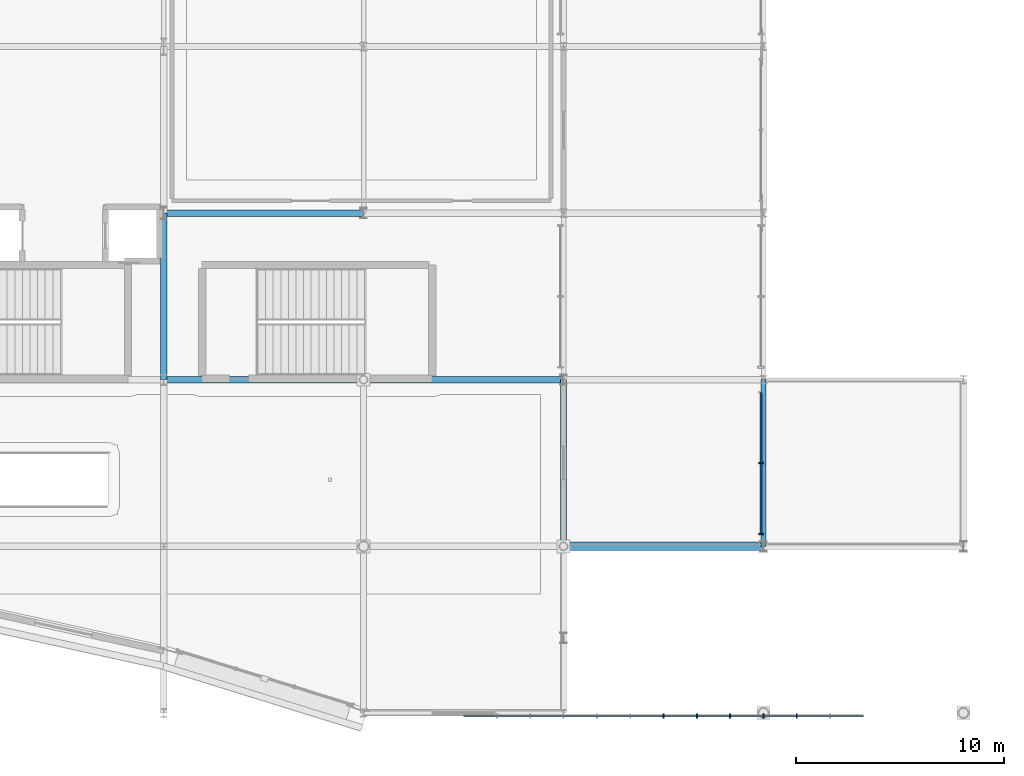
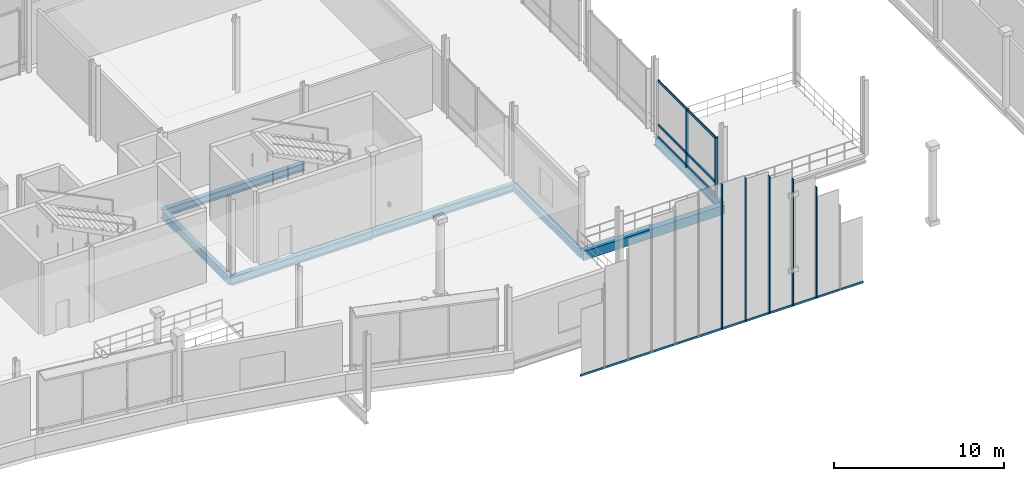
# One storey, part 40 of 129: 11 members, 7 beams, 2 elements without a shape of their own.
"""IFC4 building model written with IfcOpenShell, lengths in metres."""

from ifc_helpers import new_model, si_unit, direction, frame, origin, origin_2d, place, context, subcontext, project, spatial, rectangle, i_section, extrude, material, material_profile, profile_set, type_object, element, aggregate, save


model = new_model("IFC4")

# Units and contexts
model_context = context("Model", 3, precision=1e-05, world=origin(), true_north=direction((0.0, 1.0)))
body_context = subcontext(model_context, "Body", "Model", "MODEL_VIEW")
ifc_project = project(units=[si_unit("LENGTHUNIT", "METRE"), si_unit("AREAUNIT", "SQUARE_METRE"), si_unit("VOLUMEUNIT", "CUBIC_METRE"), si_unit("PLANEANGLEUNIT", "RADIAN"), si_unit("MASSUNIT", "GRAM", prefix="KILO")], contexts=[model_context])

# Site, building, storey
site_placement = place(None, origin())
site = spatial("IfcSite", under=ifc_project, at=site_placement, CompositionType="ELEMENT")
building_placement = place(site_placement, origin())
building = spatial("IfcBuilding", under=site, at=building_placement, Name="Danafjord Basin Convention Centre", CompositionType="ELEMENT")
storey_placement = place(building_placement, frame((0.0, 0.0, 6.0)))
storey = spatial("IfcBuildingStorey", under=building, at=storey_placement, Name="L01", CompositionType="ELEMENT", Elevation=6.0)

# Beams
ifc_material_1 = material(Name="Steel S355", Category="steel")
ifc_material_profile_1 = material_profile(ifc_material_1, i_section(OverallWidth=0.300048828125, OverallDepth=0.5, WebThickness=0.014404296875, FlangeThickness=0.028076171875, FilletRadius=0.027099609375, at=origin_2d()), Name="HEB 500")
ifc_profile_set_1 = profile_set([ifc_material_profile_1], Name="Steel S355")
beam_type_1 = type_object("IfcBeamType", Name="BEAM-BM-HEB500", PredefinedType="BEAM", material=ifc_profile_set_1)
beam_1_placement = place(storey_placement, frame((115.199951171875, 8.0, -0.47998046875), z_axis=(0.0, 1.0, 0.0), x_axis=(-1.0, 0.0, 0.0)))
element("IfcBeam", 1, at=beam_1_placement, inside=storey, type_object=beam_type_1, Name="L01 transverse girder BM-HEB500", PredefinedType="BEAM", context=body_context, shape_type="SweptSolid", body=[
    extrude(i_section(OverallWidth=0.300048828125, OverallDepth=0.5, WebThickness=0.014404296875, FlangeThickness=0.028076171875, FilletRadius=0.027099609375, at=origin_2d()), origin(), (0.0, 0.0, 1.0), 8.0),
])
ifc_material_profile_2 = material_profile(ifc_material_1, i_section(OverallWidth=0.300048828125, OverallDepth=0.550048828125, WebThickness=0.014892578125, FlangeThickness=0.029052734375, FilletRadius=0.027099609375, at=origin_2d()), Name="HEB 550")
ifc_profile_set_2 = profile_set([ifc_material_profile_2], Name="Steel S355")
beam_type_2 = type_object("IfcBeamType", Name="BEAM-BM-HEB550", PredefinedType="BEAM", material=ifc_profile_set_2)
beam_2_placement = place(storey_placement, frame((96.0, 24.0, -0.5048828125), z_axis=(1.0, 0.0, 0.0), x_axis=(0.0, 1.0, 0.0)))
element("IfcBeam", 2, at=beam_2_placement, inside=storey, type_object=beam_type_2, Name="L01 girder BM-HEB550", PredefinedType="BEAM", context=body_context, shape_type="SweptSolid", body=[
    extrude(i_section(OverallWidth=0.300048828125, OverallDepth=0.550048828125, WebThickness=0.014892578125, FlangeThickness=0.029052734375, FilletRadius=0.027099609375, at=origin_2d()), origin(), (0.0, 0.0, 1.0), 9.60009765625),
])
beam_3_placement = place(storey_placement, frame((105.60009765625, 16.0, -0.5048828125), z_axis=(1.0, 0.0, 0.0), x_axis=(0.0, 1.0, 0.0)))
element("IfcBeam", 3, at=beam_3_placement, inside=storey, type_object=beam_type_2, Name="L01 girder BM-HEB550", PredefinedType="BEAM", context=body_context, shape_type="SweptSolid", body=[
    extrude(i_section(OverallWidth=0.300048828125, OverallDepth=0.550048828125, WebThickness=0.014892578125, FlangeThickness=0.029052734375, FilletRadius=0.027099609375, at=origin_2d()), origin(), (0.0, 0.0, 1.0), 9.599853515625),
])
ifc_material_profile_3 = material_profile(ifc_material_1, i_section(OverallWidth=0.300048828125, OverallDepth=0.60009765625, WebThickness=0.015380859375, FlangeThickness=0.030029296875, FilletRadius=0.027099609375, at=origin_2d()), Name="HEB 600")
ifc_profile_set_3 = profile_set([ifc_material_profile_3], Name="Steel S355")
beam_type_3 = type_object("IfcBeamType", Name="BEAM-BM-HEB600", PredefinedType="BEAM", material=ifc_profile_set_3)
beam_4_placement = place(storey_placement, frame((96.0, 16.0, -0.530029296875), z_axis=(1.0, 0.0, 0.0), x_axis=(0.0, 1.0, 0.0)))
element("IfcBeam", 4, at=beam_4_placement, inside=storey, type_object=beam_type_3, Name="L01 girder BM-HEB600", PredefinedType="BEAM", context=body_context, shape_type="SweptSolid", body=[
    extrude(i_section(OverallWidth=0.300048828125, OverallDepth=0.60009765625, WebThickness=0.015380859375, FlangeThickness=0.030029296875, FilletRadius=0.027099609375, at=origin_2d()), origin(), (0.0, 0.0, 1.0), 9.60009765625),
])
beam_5_placement = place(storey_placement, frame((96.0, 16.0, -0.530029296875), z_axis=(0.0, 1.0, 0.0), x_axis=(-1.0, 0.0, 0.0)))
element("IfcBeam", 5, at=beam_5_placement, inside=storey, type_object=beam_type_3, Name="L01 transverse girder BM-HEB600", PredefinedType="BEAM", context=body_context, shape_type="SweptSolid", body=[
    extrude(i_section(OverallWidth=0.300048828125, OverallDepth=0.60009765625, WebThickness=0.015380859375, FlangeThickness=0.030029296875, FilletRadius=0.027099609375, at=origin_2d()), origin(), (0.0, 0.0, 1.0), 8.0),
])
ifc_material_profile_4 = material_profile(ifc_material_1, i_section(OverallWidth=0.219970703125, OverallDepth=0.60009765625, WebThickness=0.011962890625, FlangeThickness=0.01904296875, FilletRadius=0.02392578125, at=origin_2d()), Name="IPE 600")
ifc_profile_set_4 = profile_set([ifc_material_profile_4], Name="Steel S355")
beam_type_4 = type_object("IfcBeamType", Name="BEAM-BM-IPE600", PredefinedType="BEAM", material=ifc_profile_set_4)
beam_6_placement = place(storey_placement, frame((124.800048828125, 8.0, -0.530029296875), z_axis=(0.0, 1.0, 0.0), x_axis=(-1.0, 0.0, 0.0)))
element("IfcBeam", 6, at=beam_6_placement, inside=storey, type_object=beam_type_4, Name="L01 transverse girder BM-IPE600", PredefinedType="BEAM", context=body_context, shape_type="SweptSolid", body=[
    extrude(i_section(OverallWidth=0.219970703125, OverallDepth=0.60009765625, WebThickness=0.011962890625, FlangeThickness=0.01904296875, FilletRadius=0.02392578125, at=origin_2d()), origin(), (0.0, 0.0, 1.0), 8.0),
])
ifc_material_2 = material(Name="Precast concrete C45/55", Category="concrete")
ifc_material_profile_5 = material_profile(ifc_material_2, rectangle(XDim=0.39990234375, YDim=0.64990234375, at=origin_2d()), Name="PCB 400x650")
ifc_profile_set_5 = profile_set([ifc_material_profile_5], Name="Precast concrete C45/55")
beam_type_5 = type_object("IfcBeamType", Name="BEAM-SP-PCB650", PredefinedType="SPANDREL", material=ifc_profile_set_5)
beam_7_placement = place(storey_placement, frame((115.199951171875, 8.0, -0.554931640625), z_axis=(1.0, 0.0, 0.0), x_axis=(0.0, 1.0, 0.0)))
element("IfcBeam", 7, at=beam_7_placement, inside=storey, type_object=beam_type_5, Name="L01 girder SP-PCB650", PredefinedType="SPANDREL", context=body_context, shape_type="SweptSolid", body=[
    extrude(rectangle(XDim=0.39990234375, YDim=0.64990234375, at=origin_2d()), origin(), (0.0, 0.0, 1.0), 9.60009765625),
])

# Curtain wall, members
ifc_material_3 = material(Name="Anodised aluminium and triple glazing", Category="aluminium")
curtain_wall_type_1 = type_object("IfcCurtainWallType", Name="CW-CW-BRIDGE", PredefinedType="NOTDEFINED", material=ifc_material_3)
curtain_wall_1_placement = place(storey_placement, origin())
curtain_wall_1 = element("IfcCurtainWall", 8, at=curtain_wall_1_placement, inside=storey, type_object=curtain_wall_type_1, Name="L01 CW-BRIDGE unitised curtain wall bay 152", PredefinedType="NOTDEFINED")
ifc_material_4 = material(Name="Anodised aluminium EN AW-6060", Category="aluminium")
ifc_material_profile_6 = material_profile(ifc_material_4, rectangle(XDim=0.06494140625, YDim=0.219970703125, at=origin_2d()), Name="MULL 65x220")
ifc_profile_set_6 = profile_set([ifc_material_profile_6], Name="Anodised aluminium EN AW-6060")
member_type_1 = type_object("IfcMemberType", Name="MEM-ML-220", PredefinedType="MULLION", material=ifc_profile_set_6)
member_1_placement = place(storey_placement, frame((124.679931640625, 8.60009765625, -0.02490234375), z_axis=(0.0, 0.0, 1.0), x_axis=(0.0, 1.0, 0.0)))
member_1 = element("IfcMember", 9, at=member_1_placement, type_object=member_type_1, Name="CW-L01-152 mullion 1", PredefinedType="MULLION", context=body_context, shape_type="SweptSolid", body=[
    extrude(rectangle(XDim=0.06494140625, YDim=0.219970703125, at=origin_2d()), origin(), (0.0, 0.0, 1.0), 4.199951171875),
])
member_2_placement = place(storey_placement, frame((124.679931640625, 12.0, -0.02490234375), z_axis=(0.0, 0.0, 1.0), x_axis=(0.0, 1.0, 0.0)))
member_2 = element("IfcMember", 10, at=member_2_placement, type_object=member_type_1, Name="CW-L01-152 mullion 2", PredefinedType="MULLION", context=body_context, shape_type="SweptSolid", body=[
    extrude(rectangle(XDim=0.06494140625, YDim=0.219970703125, at=origin_2d()), origin(), (0.0, 0.0, 1.0), 4.199951171875),
])

curtain_wall_type_2 = type_object("IfcCurtainWallType", Name="CW-CW-HARB", PredefinedType="NOTDEFINED", material=ifc_material_3)
curtain_wall_2_placement = place(storey_placement, origin())
curtain_wall_2 = element("IfcCurtainWall", 11, at=curtain_wall_2_placement, inside=storey, type_object=curtain_wall_type_2, Name="Main entrance tall semicircular glazed arch curtain wall", PredefinedType="NOTDEFINED")
member_3_placement = place(storey_placement, frame((120.0, -0.14990234375, -2.60009765625), z_axis=(0.0, 0.0, 1.0), x_axis=(1.0, 0.0, 0.0)))
member_3 = element("IfcMember", 12, at=member_3_placement, type_object=member_type_1, Name="Main entrance glazed arch mullion 6", PredefinedType="MULLION", context=body_context, shape_type="SweptSolid", body=[
    extrude(rectangle(XDim=0.06494140625, YDim=0.219970703125, at=origin_2d()), origin(), (0.0, 0.0, 1.0), 10.400146484375),
])
member_4_placement = place(storey_placement, frame((121.60009765625, -0.14990234375, -2.60009765625), z_axis=(0.0, 0.0, 1.0), x_axis=(1.0, 0.0, 0.0)))
member_4 = element("IfcMember", 13, at=member_4_placement, type_object=member_type_1, Name="Main entrance glazed arch mullion 7", PredefinedType="MULLION", context=body_context, shape_type="SweptSolid", body=[
    extrude(rectangle(XDim=0.06494140625, YDim=0.219970703125, at=origin_2d()), origin(), (0.0, 0.0, 1.0), 10.265869140625),
])
member_5_placement = place(storey_placement, frame((123.199951171875, -0.14990234375, -2.60009765625), z_axis=(0.0, 0.0, 1.0), x_axis=(1.0, 0.0, 0.0)))
member_5 = element("IfcMember", 14, at=member_5_placement, type_object=member_type_1, Name="Main entrance glazed arch mullion 8", PredefinedType="MULLION", context=body_context, shape_type="SweptSolid", body=[
    extrude(rectangle(XDim=0.06494140625, YDim=0.219970703125, at=origin_2d()), origin(), (0.0, 0.0, 1.0), 9.85107421875),
])
member_6_placement = place(storey_placement, frame((124.800048828125, -0.14990234375, -2.60009765625), z_axis=(0.0, 0.0, 1.0), x_axis=(1.0, 0.0, 0.0)))
member_6 = element("IfcMember", 15, at=member_6_placement, type_object=member_type_1, Name="Main entrance glazed arch mullion 9", PredefinedType="MULLION", context=body_context, shape_type="SweptSolid", body=[
    extrude(rectangle(XDim=0.06494140625, YDim=0.219970703125, at=origin_2d()), origin(), (0.0, 0.0, 1.0), 9.114013671875),
])
member_7_placement = place(storey_placement, frame((126.39990234375, -0.14990234375, -2.60009765625), z_axis=(0.0, 0.0, 1.0), x_axis=(1.0, 0.0, 0.0)))
member_7 = element("IfcMember", 16, at=member_7_placement, type_object=member_type_1, Name="Main entrance glazed arch mullion 10", PredefinedType="MULLION", context=body_context, shape_type="SweptSolid", body=[
    extrude(rectangle(XDim=0.06494140625, YDim=0.219970703125, at=origin_2d()), origin(), (0.0, 0.0, 1.0), 7.95556640625),
])
ifc_material_profile_7 = material_profile(ifc_material_4, rectangle(XDim=0.06005859375, YDim=0.14990234375, at=origin_2d()), Name="TRAN 60x150")
ifc_profile_set_7 = profile_set([ifc_material_profile_7], Name="Anodised aluminium EN AW-6060")
member_type_2 = type_object("IfcMemberType", Name="MEM-TR-150", PredefinedType="USERDEFINED", material=ifc_profile_set_7)
member_8_placement = place(storey_placement, frame((110.39990234375, -0.14990234375, -2.60009765625), z_axis=(1.0, 0.0, 0.0), x_axis=(0.0, 1.0, 0.0)))
member_8 = element("IfcMember", 17, at=member_8_placement, type_object=member_type_2, Name="Main entrance arch springing transom", ObjectType="TRANSOM", PredefinedType="USERDEFINED", context=body_context, shape_type="SweptSolid", body=[
    extrude(rectangle(XDim=0.06005859375, YDim=0.14990234375, at=origin_2d()), origin(), (0.0, 0.0, 1.0), 19.2001953125),
])
aggregate(curtain_wall_2, [member_8, member_3, member_4, member_5, member_6, member_7])

# Member
ifc_material_profile_8 = material_profile(ifc_material_4, rectangle(XDim=0.06494140625, YDim=0.18994140625, at=origin_2d()), Name="TRAN 65x190")
ifc_profile_set_8 = profile_set([ifc_material_profile_8], Name="Anodised aluminium EN AW-6060")
member_type_3 = type_object("IfcMemberType", Name="MEM-TR-190", PredefinedType="USERDEFINED", material=ifc_profile_set_8)
member_9_placement = place(storey_placement, frame((124.679931640625, 8.60009765625, 0.06005859375), z_axis=(0.0, 1.0, 0.0), x_axis=(-1.0, 0.0, 0.0)))
member_9 = element("IfcMember", 18, at=member_9_placement, type_object=member_type_3, Name="CW-L01-152 transom 1", ObjectType="TRANSOM", PredefinedType="USERDEFINED", context=body_context, shape_type="SweptSolid", body=[
    extrude(rectangle(XDim=0.06494140625, YDim=0.18994140625, at=origin_2d()), origin(), (0.0, 0.0, 1.0), 6.7998046875),
])

member_10_placement = place(storey_placement, frame((124.679931640625, 8.60009765625, 0.949951171875), z_axis=(0.0, 1.0, 0.0), x_axis=(-1.0, 0.0, 0.0)))
member_10 = element("IfcMember", 19, at=member_10_placement, type_object=member_type_3, Name="CW-L01-152 transom 2", ObjectType="TRANSOM", PredefinedType="USERDEFINED", context=body_context, shape_type="SweptSolid", body=[
    extrude(rectangle(XDim=0.06494140625, YDim=0.18994140625, at=origin_2d()), origin(), (0.0, 0.0, 1.0), 6.7998046875),
])

member_11_placement = place(storey_placement, frame((124.679931640625, 8.60009765625, 4.10498046875), z_axis=(0.0, 1.0, 0.0), x_axis=(-1.0, 0.0, 0.0)))
member_11 = element("IfcMember", 20, at=member_11_placement, type_object=member_type_3, Name="CW-L01-152 transom 3", ObjectType="TRANSOM", PredefinedType="USERDEFINED", context=body_context, shape_type="SweptSolid", body=[
    extrude(rectangle(XDim=0.06494140625, YDim=0.18994140625, at=origin_2d()), origin(), (0.0, 0.0, 1.0), 6.7998046875),
])

aggregate(curtain_wall_1, [member_1, member_2, member_9, member_10, member_11])

save(model, "model.ifc")
